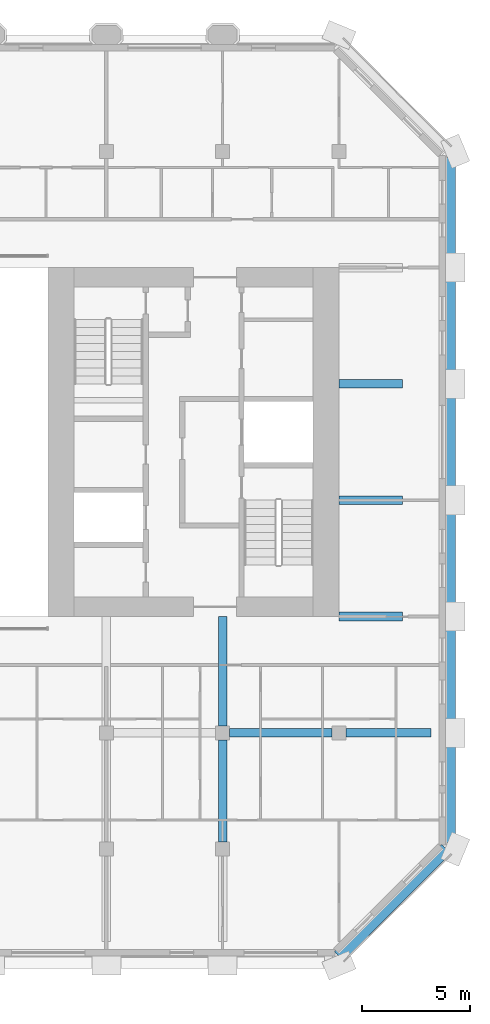
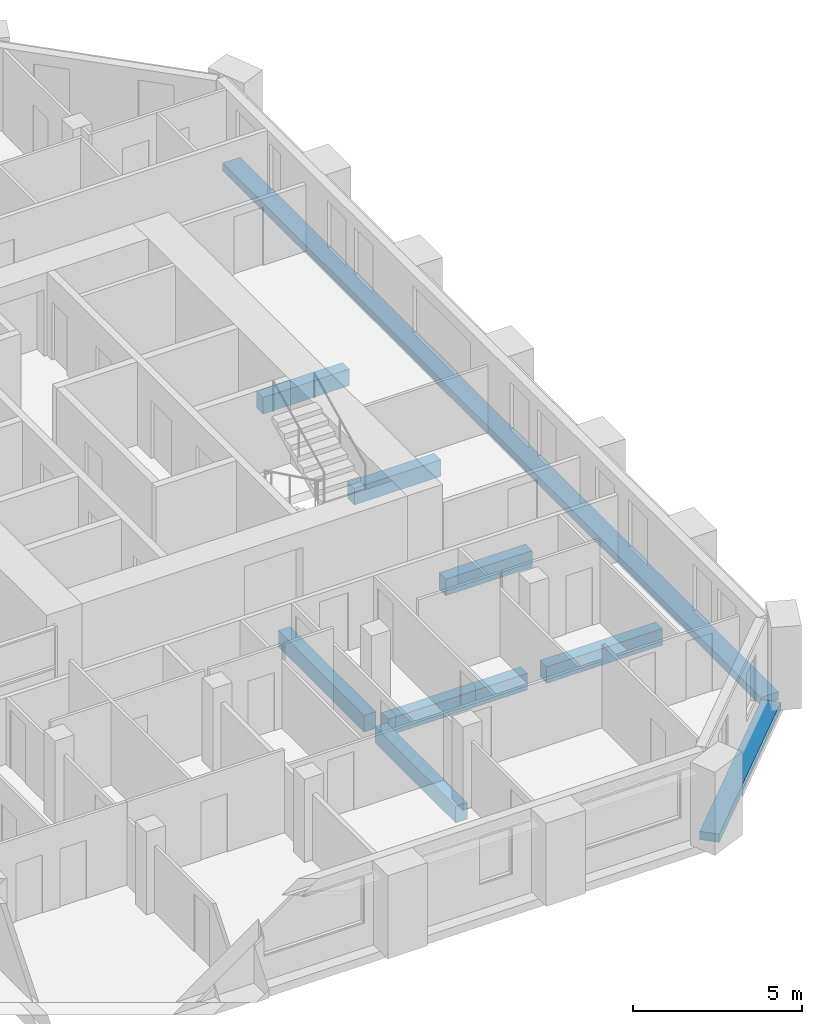
# One storey, part 5 of 16: 9 beams.
"""IFC4 building model written with IfcOpenShell, lengths in metres."""

from ifc_helpers import new_model, si_unit, direction, frame, origin, origin_2d, place, context, subcontext, project, spatial, rectangle, extrude, material, material_profile, profile_set, type_object, element, save


model = new_model("IFC4")

# Units and contexts
model_context = context("Model", 3, precision=1e-05, world=origin(), true_north=direction((0.0, 1.0)))
body_context = subcontext(model_context, "Body", "Model", "MODEL_VIEW")
ifc_project = project(units=[si_unit("LENGTHUNIT", "METRE"), si_unit("AREAUNIT", "SQUARE_METRE"), si_unit("VOLUMEUNIT", "CUBIC_METRE"), si_unit("PLANEANGLEUNIT", "RADIAN"), si_unit("MASSUNIT", "GRAM", prefix="KILO")], contexts=[model_context])

# Site, building, storey
site_placement = place(None, origin())
site = spatial("IfcSite", under=ifc_project, at=site_placement, CompositionType="ELEMENT")
building_placement = place(site_placement, origin())
building = spatial("IfcBuilding", under=site, at=building_placement, Name="Tabaq Tower and Sports Hall", CompositionType="ELEMENT")
storey_placement = place(building_placement, frame((0.0, 0.0, 268.60009765625)))
storey = spatial("IfcBuildingStorey", under=building, at=storey_placement, Name="L65", CompositionType="ELEMENT", Elevation=268.60009765625)

# Beams
ifc_material_1 = material(Name="Concrete C40/50", Category="concrete")
ifc_material_profile_1 = material_profile(ifc_material_1, rectangle(XDim=0.39990234375, YDim=0.60009765625, at=origin_2d()), Name="CB 400x600")
ifc_profile_set_1 = profile_set([ifc_material_profile_1], Name="Concrete C40/50")
beam_type_1 = type_object("IfcBeamType", Name="PT CANTILEVER BEAM CB 400x600 C40/50", PredefinedType="BEAM", material=ifc_profile_set_1)
beam_1_placement = place(storey_placement, frame((47.47509765625, 10.800048828125, -0.60009765625), z_axis=(-1.0, 0.0, 0.0), x_axis=(0.0, -1.0, 0.0)))
element("IfcBeam", 1, at=beam_1_placement, inside=storey, type_object=beam_type_1, Name="Cantilever Beam L65 E2 span 1", PredefinedType="BEAM", context=body_context, shape_type="SweptSolid", body=[
    extrude(rectangle(XDim=0.39990234375, YDim=0.60009765625, at=origin_2d()), origin(), (0.0, 0.0, 1.0), 3.9501953125),
])
beam_2_placement = place(storey_placement, frame((42.875, 10.800048828125, -0.60009765625), z_axis=(-1.0, 0.0, 0.0), x_axis=(0.0, -1.0, 0.0)))
element("IfcBeam", 2, at=beam_2_placement, inside=storey, type_object=beam_type_1, Name="Cantilever Beam L65 E2 span 2", PredefinedType="BEAM", context=body_context, shape_type="SweptSolid", body=[
    extrude(rectangle(XDim=0.39990234375, YDim=0.60009765625, at=origin_2d()), origin(), (0.0, 0.0, 1.0), 4.75),
])
for number, where, z_axis, x_axis, name in (
    (3, (46.14990234375, 16.199951171875, -0.60009765625), (-1.0, 0.0, 0.0), (0.0, -1.0, 0.0), "Cantilever Beam L65 E3 span 1"),
    (4, (46.14990234375, 21.60009765625, -0.60009765625), (-1.0, 0.0, 0.0), (0.0, -1.0, 0.0), "Cantilever Beam L65 E4 span 1"),
    (5, (46.14990234375, 27.0, -0.60009765625), (-1.0, 0.0, 0.0), (0.0, -1.0, 0.0), "Cantilever Beam L65 E5 span 1"),
):
    element("IfcBeam", number, at=place(storey_placement, frame(where, z_axis=z_axis, x_axis=x_axis)), inside=storey, type_object=beam_type_1, Name=name, PredefinedType="BEAM", context=body_context, shape_type="SweptSolid", body=[
        extrude(rectangle(XDim=0.39990234375, YDim=0.60009765625, at=origin_2d()), origin(), (0.0, 0.0, 1.0), 2.949951171875),
    ])
beam_3_placement = place(storey_placement, frame((37.800048828125, 5.72509765625, -0.60009765625), z_axis=(0.0, 1.0, 0.0), x_axis=(-1.0, 0.0, 0.0)))
element("IfcBeam", 6, at=beam_3_placement, inside=storey, type_object=beam_type_1, Name="Cantilever Beam L65 S7 span 2", PredefinedType="BEAM", context=body_context, shape_type="SweptSolid", body=[
    extrude(rectangle(XDim=0.39990234375, YDim=0.60009765625, at=origin_2d()), origin(), (0.0, 0.0, 1.0), 4.75),
])
beam_4_placement = place(storey_placement, frame((37.800048828125, 11.125, -0.60009765625), z_axis=(0.0, 1.0, 0.0), x_axis=(-1.0, 0.0, 0.0)))
element("IfcBeam", 7, at=beam_4_placement, inside=storey, type_object=beam_type_1, Name="Cantilever Beam L65 S7 span 3", PredefinedType="BEAM", context=body_context, shape_type="SweptSolid", body=[
    extrude(rectangle(XDim=0.39990234375, YDim=0.60009765625, at=origin_2d()), origin(), (0.0, 0.0, 1.0), 5.074951171875),
])
ifc_material_2 = material(Name="Concrete C40/50", Category="concrete")
ifc_material_profile_2 = material_profile(ifc_material_2, rectangle(XDim=0.60009765625, YDim=0.300048828125, at=origin_2d()), Name="EB 600x300")
ifc_profile_set_2 = profile_set([ifc_material_profile_2], Name="Concrete C40/50")
beam_type_2 = type_object("IfcBeamType", Name="PT EDGE BEAM EB 600x300 C40/50", PredefinedType="SPANDREL", material=ifc_profile_set_2)
beam_5_placement = place(storey_placement, frame((43.198974609375, 0.42333984375, -0.150146484375), z_axis=(0.707106781187, 0.707106781187, 0.0), x_axis=(-0.707106781187, 0.707106781187, 0.0)))
element("IfcBeam", 8, at=beam_5_placement, inside=storey, type_object=beam_type_2, Name="Edge Beam L65 2", PredefinedType="SPANDREL", context=body_context, shape_type="SweptSolid", body=[
    extrude(rectangle(XDim=0.60009765625, YDim=0.300048828125, at=origin_2d()), origin(), (0.0, 0.0, 1.0), 7.03955078125),
])
beam_6_placement = place(storey_placement, frame((48.300048828125, 5.698486328125, -0.150146484375), z_axis=(0.0, 1.0, 0.0), x_axis=(-1.0, 0.0, 0.0)))
element("IfcBeam", 9, at=beam_6_placement, inside=storey, type_object=beam_type_2, Name="Edge Beam L65 3", PredefinedType="SPANDREL", context=body_context, shape_type="SweptSolid", body=[
    extrude(rectangle(XDim=0.60009765625, YDim=0.300048828125, at=origin_2d()), origin(), (0.0, 0.0, 1.0), 31.802978515625),
])

save(model, "model.ifc")
